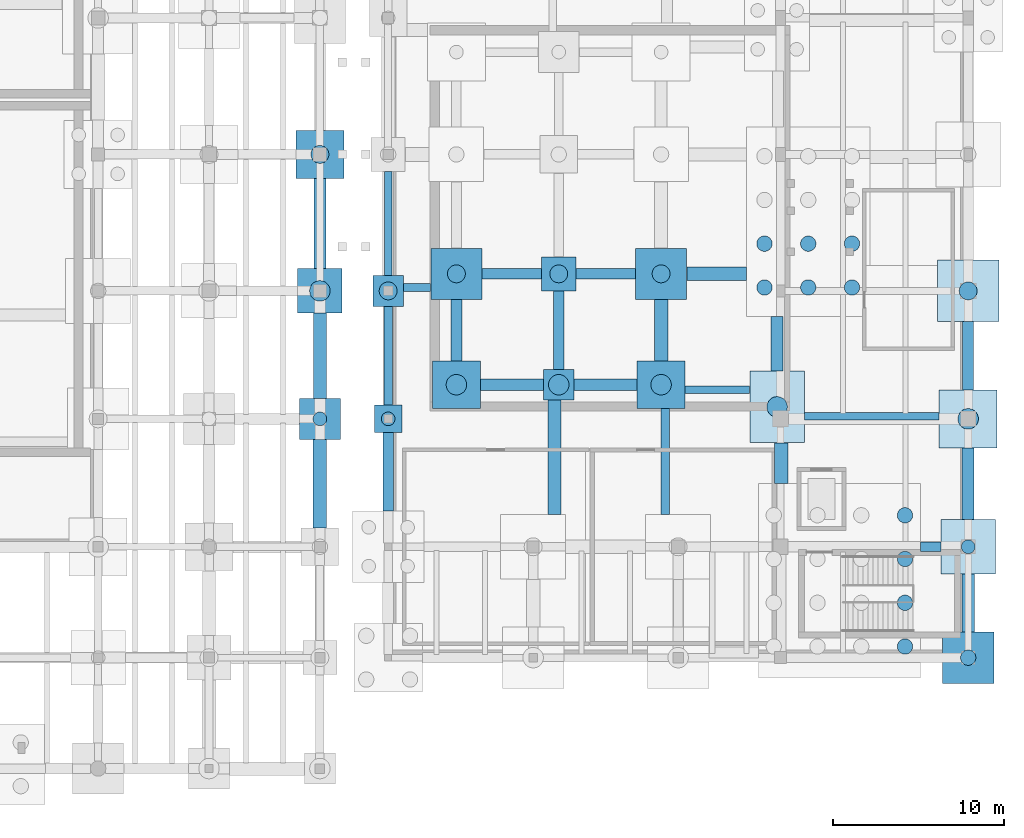
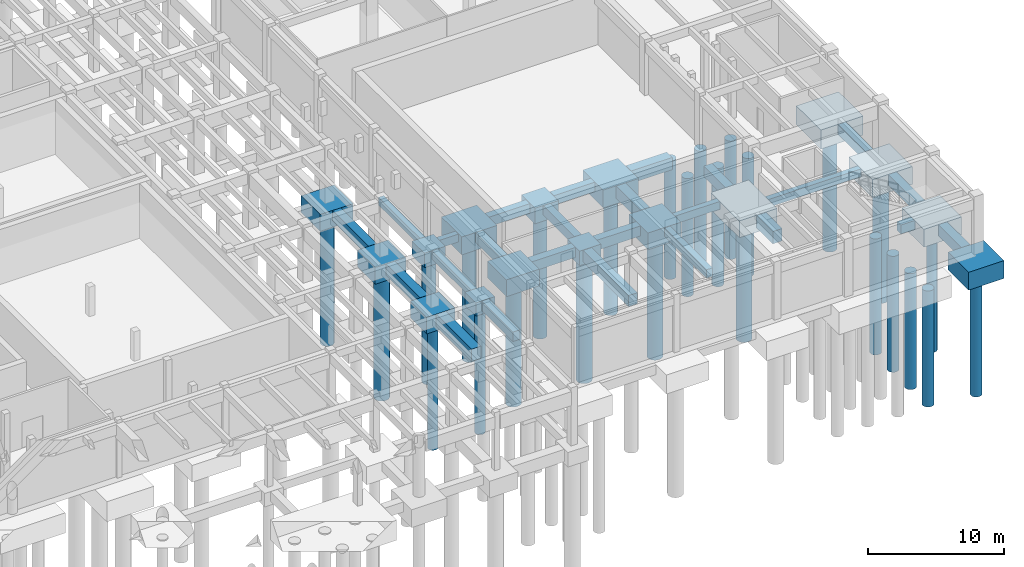
# One storey, part 13 of 36: 41 footings, 26 piles.
"""IFC4 building model written with IfcOpenShell, lengths in metres."""

from ifc_helpers import new_model, si_unit, direction, frame, origin, origin_2d, place, context, subcontext, project, spatial, polyline, circle, outline, extrude, material, material_profile, profile_set, type_object, element, save


model = new_model("IFC4")

# Units and contexts
model_context = context("Model", 3, precision=1e-05, world=origin(), true_north=direction((0.0, 1.0)))
body_context = subcontext(model_context, "Body", "Model", "MODEL_VIEW")
ifc_project = project(units=[si_unit("LENGTHUNIT", "METRE"), si_unit("AREAUNIT", "SQUARE_METRE"), si_unit("VOLUMEUNIT", "CUBIC_METRE"), si_unit("PLANEANGLEUNIT", "RADIAN"), si_unit("MASSUNIT", "GRAM", prefix="KILO"), si_unit("THERMODYNAMICTEMPERATUREUNIT", "KELVIN"), si_unit("POWERUNIT", "WATT")], contexts=[model_context])

# Site, building, storey
site_placement = place(None, origin())
site = spatial("IfcSite", under=ifc_project, at=site_placement, CompositionType="ELEMENT")
building_placement = place(site_placement, origin())
building = spatial("IfcBuilding", under=site, at=building_placement, Name="Tepalcoro Natatorium and Aquatics Centre", CompositionType="ELEMENT")
storey_placement = place(building_placement, frame((0.0, 0.0, -5.199951171875)))
storey = spatial("IfcBuildingStorey", under=building, at=storey_placement, Name="B1", CompositionType="ELEMENT", Elevation=-5.199951171875)

# Footings
ifc_material = material(Name="Concrete C40/50 (fc 40 MPa)", Category="concrete")
footing_type_1 = type_object("IfcFootingType", Name="FB_450x700", PredefinedType="FOOTING_BEAM", material=ifc_material)
footing_1_placement = place(storey_placement, frame((0.0, 0.0, -1.199951171875)))
element("IfcFooting", 1, at=footing_1_placement, inside=storey, type_object=footing_type_1, Name="V2 B1 Foundation Tie Beam X", PredefinedType="FOOTING_BEAM", context=body_context, shape_type="SweptSolid", body=[
    extrude(outline(polyline([(142.905029296875, 27.97509765625), (144.4951171875, 27.97509765625), (144.4951171875, 28.425048828125), (142.905029296875, 28.425048828125), (142.905029296875, 27.97509765625)])), origin(), (0.0, 0.0, 1.0), 0.699951171875),
])
footing_2_placement = place(storey_placement, frame((0.0, 0.0, -1.179931640625)))
element("IfcFooting", 2, at=footing_2_placement, inside=storey, type_object=footing_type_1, Name="V2 B1 Foundation Tie Beam X", PredefinedType="FOOTING_BEAM", context=body_context, shape_type="SweptSolid", body=[
    extrude(outline(polyline([(159.405029296875, 21.97509765625), (163.195068359375, 21.97509765625), (163.195068359375, 22.425048828125), (159.405029296875, 22.425048828125), (159.405029296875, 21.97509765625)])), origin(), (0.0, 0.0, 1.0), 0.699951171875),
])
footing_3_placement = place(storey_placement, frame((0.0, 0.0, -1.199951171875)))
element("IfcFooting", 3, at=footing_3_placement, inside=storey, type_object=footing_type_1, Name="V2 B1 Foundation Tie Beam X", PredefinedType="FOOTING_BEAM", context=body_context, shape_type="SweptSolid", body=[
    extrude(outline(polyline([(166.405029296875, 20.425048828125), (174.294921875, 20.425048828125), (174.294921875, 20.875), (166.405029296875, 20.875), (166.405029296875, 20.425048828125)])), origin(), (0.0, 0.0, 1.0), 0.699951171875),
])
footing_4_placement = place(storey_placement, frame((0.0, 0.0, -1.199951171875)))
element("IfcFooting", 4, at=footing_4_placement, inside=storey, type_object=footing_type_1, Name="V2 B1 Foundation Tie Beam Y", PredefinedType="FOOTING_BEAM", context=body_context, shape_type="SweptSolid", body=[
    extrude(outline(polyline([(142.22509765625, 28.905029296875), (142.22509765625, 34.9951171875), (141.77490234375, 34.9951171875), (141.77490234375, 28.905029296875), (142.22509765625, 28.905029296875)])), origin(), (0.0, 0.0, 1.0), 0.699951171875),
])
footing_type_2 = type_object("IfcFootingType", Name="FB_500x750", PredefinedType="FOOTING_BEAM", material=ifc_material)
footing_5_placement = place(storey_placement, frame((0.0, 0.0, -1.25)))
element("IfcFooting", 5, at=footing_5_placement, inside=storey, type_object=footing_type_2, Name="V2 B1 Foundation Tie Beam Y", PredefinedType="FOOTING_BEAM", context=body_context, shape_type="SweptSolid", body=[
    extrude(outline(polyline([(142.25, 21.304931640625), (142.25, 27.094970703125), (141.75, 27.094970703125), (141.75, 21.304931640625), (142.25, 21.304931640625)])), origin(), (0.0, 0.0, 1.0), 0.75),
])
footing_6_placement = place(storey_placement, frame((0.0, 0.0, -1.25)))
element("IfcFooting", 6, at=footing_6_placement, inside=storey, type_object=footing_type_2, Name="V2 B1 Foundation Tie Beam Y", PredefinedType="FOOTING_BEAM", context=body_context, shape_type="SweptSolid", body=[
    extrude(outline(polyline([(158.5, 14.905029296875), (158.5, 21.094970703125), (158.0, 21.094970703125), (158.0, 14.905029296875), (158.5, 14.905029296875)])), origin(), (0.0, 0.0, 1.0), 0.75),
])
footing_type_3 = type_object("IfcFootingType", Name="FB_550x800", PredefinedType="FOOTING_BEAM", material=ifc_material)
footing_7_placement = place(storey_placement, frame((0.0, 0.0, -1.300048828125)))
element("IfcFooting", 7, at=footing_7_placement, inside=storey, type_object=footing_type_3, Name="V2 B1 Foundation Tie Beam X", PredefinedType="FOOTING_BEAM", context=body_context, shape_type="SweptSolid", body=[
    extrude(outline(polyline([(173.205078125, 12.72509765625), (174.39501953125, 12.72509765625), (174.39501953125, 13.27490234375), (173.205078125, 13.27490234375), (173.205078125, 12.72509765625)])), origin(), (0.0, 0.0, 1.0), 0.800048828125),
])
footing_type_4 = type_object("IfcFootingType", Name="FB_600x850", PredefinedType="FOOTING_BEAM", material=ifc_material)
footing_8_placement = place(storey_placement, frame((0.0, 0.0, -1.330078125)))
element("IfcFooting", 8, at=footing_8_placement, inside=storey, type_object=footing_type_4, Name="V2 B1 Foundation Tie Beam X", PredefinedType="FOOTING_BEAM", context=body_context, shape_type="SweptSolid", body=[
    extrude(outline(polyline([(147.5048828125, 28.699951171875), (150.9951171875, 28.699951171875), (150.9951171875, 29.300048828125), (147.5048828125, 29.300048828125), (147.5048828125, 28.699951171875)])), origin(), (0.0, 0.0, 1.0), 0.85009765625),
])
footing_9_placement = place(storey_placement, frame((0.0, 0.0, -1.330078125)))
element("IfcFooting", 9, at=footing_9_placement, inside=storey, type_object=footing_type_4, Name="V2 B1 Foundation Tie Beam X", PredefinedType="FOOTING_BEAM", context=body_context, shape_type="SweptSolid", body=[
    extrude(outline(polyline([(153.0048828125, 28.699951171875), (156.4951171875, 28.699951171875), (156.4951171875, 29.300048828125), (153.0048828125, 29.300048828125), (153.0048828125, 28.699951171875)])), origin(), (0.0, 0.0, 1.0), 0.85009765625),
])
footing_10_placement = place(storey_placement, frame((0.0, 0.0, -1.35009765625)))
element("IfcFooting", 10, at=footing_10_placement, inside=storey, type_object=footing_type_4, Name="V2 B1 Foundation Tie Beam Y", PredefinedType="FOOTING_BEAM", context=body_context, shape_type="SweptSolid", body=[
    extrude(outline(polyline([(142.300048828125, 15.10498046875), (142.300048828125, 19.695068359375), (141.699951171875, 19.695068359375), (141.699951171875, 15.10498046875), (142.300048828125, 15.10498046875)])), origin(), (0.0, 0.0, 1.0), 0.85009765625),
])
footing_11_placement = place(storey_placement, frame((0.0, 0.0, -1.330078125)))
element("IfcFooting", 11, at=footing_11_placement, inside=storey, type_object=footing_type_4, Name="V2 B1 Foundation Tie Beam Y", PredefinedType="FOOTING_BEAM", context=body_context, shape_type="SweptSolid", body=[
    extrude(outline(polyline([(152.300048828125, 23.405029296875), (152.300048828125, 27.9951171875), (151.699951171875, 27.9951171875), (151.699951171875, 23.405029296875), (152.300048828125, 23.405029296875)])), origin(), (0.0, 0.0, 1.0), 0.85009765625),
])
footing_type_5 = type_object("IfcFootingType", Name="FB_650x900", PredefinedType="FOOTING_BEAM", material=ifc_material)
footing_12_placement = place(storey_placement, frame((0.0, 0.0, -1.380126953125)))
element("IfcFooting", 12, at=footing_12_placement, inside=storey, type_object=footing_type_5, Name="V2 B1 Foundation Tie Beam X", PredefinedType="FOOTING_BEAM", context=body_context, shape_type="SweptSolid", body=[
    extrude(outline(polyline([(147.405029296875, 22.175048828125), (151.094970703125, 22.175048828125), (151.094970703125, 22.824951171875), (147.405029296875, 22.824951171875), (147.405029296875, 22.175048828125)])), origin(), (0.0, 0.0, 1.0), 0.900146484375),
])
footing_13_placement = place(storey_placement, frame((0.0, 0.0, -1.380126953125)))
element("IfcFooting", 13, at=footing_13_placement, inside=storey, type_object=footing_type_5, Name="V2 B1 Foundation Tie Beam X", PredefinedType="FOOTING_BEAM", context=body_context, shape_type="SweptSolid", body=[
    extrude(outline(polyline([(152.905029296875, 22.175048828125), (156.594970703125, 22.175048828125), (156.594970703125, 22.824951171875), (152.905029296875, 22.824951171875), (152.905029296875, 22.175048828125)])), origin(), (0.0, 0.0, 1.0), 0.900146484375),
])
footing_14_placement = place(storey_placement, frame((0.0, 0.0, -1.380126953125)))
element("IfcFooting", 14, at=footing_14_placement, inside=storey, type_object=footing_type_5, Name="V2 B1 Foundation Tie Beam Y", PredefinedType="FOOTING_BEAM", context=body_context, shape_type="SweptSolid", body=[
    extrude(outline(polyline([(146.324951171875, 23.905029296875), (146.324951171875, 27.4951171875), (145.675048828125, 27.4951171875), (145.675048828125, 23.905029296875), (146.324951171875, 23.905029296875)])), origin(), (0.0, 0.0, 1.0), 0.900146484375),
])
footing_15_placement = place(storey_placement, frame((0.0, 0.0, -1.400146484375)))
element("IfcFooting", 15, at=footing_15_placement, inside=storey, type_object=footing_type_5, Name="V2 B1 Foundation Tie Beam Y", PredefinedType="FOOTING_BEAM", context=body_context, shape_type="SweptSolid", body=[
    extrude(outline(polyline([(176.324951171875, 22.205078125), (176.324951171875, 26.195068359375), (175.675048828125, 26.195068359375), (175.675048828125, 22.205078125), (176.324951171875, 22.205078125)])), origin(), (0.0, 0.0, 1.0), 0.900146484375),
])
footing_type_6 = type_object("IfcFootingType", Name="FB_700x950", PredefinedType="FOOTING_BEAM", material=ifc_material)
footing_16_placement = place(storey_placement, frame((0.0, 0.0, -0.949951171875)))
element("IfcFooting", 16, at=footing_16_placement, inside=storey, type_object=footing_type_6, Name="V1 B1 Foundation Tie Beam Y", PredefinedType="FOOTING_BEAM", context=body_context, shape_type="SweptSolid", body=[
    extrude(outline(polyline([(138.35009765625, 29.304931640625), (138.35009765625, 34.594970703125), (137.64990234375, 34.594970703125), (137.64990234375, 29.304931640625), (138.35009765625, 29.304931640625)])), origin(), (0.0, 0.0, 1.0), 0.949951171875),
])
footing_17_placement = place(storey_placement, frame((0.0, 0.0, -1.429931640625)))
element("IfcFooting", 17, at=footing_17_placement, inside=storey, type_object=footing_type_6, Name="V2 B1 Foundation Tie Beam Y", PredefinedType="FOOTING_BEAM", context=body_context, shape_type="SweptSolid", body=[
    extrude(outline(polyline([(165.14990234375, 23.304931640625), (165.14990234375, 26.4951171875), (164.449951171875, 26.4951171875), (164.449951171875, 23.304931640625), (165.14990234375, 23.304931640625)])), origin(), (0.0, 0.0, 1.0), 0.949951171875),
])
footing_18_placement = place(storey_placement, frame((0.0, 0.0, -1.449951171875)))
element("IfcFooting", 18, at=footing_18_placement, inside=storey, type_object=footing_type_6, Name="V2 B1 Foundation Tie Beam Y", PredefinedType="FOOTING_BEAM", context=body_context, shape_type="SweptSolid", body=[
    extrude(outline(polyline([(176.35009765625, 14.60498046875), (176.35009765625, 18.794921875), (175.64990234375, 18.794921875), (175.64990234375, 14.60498046875), (176.35009765625, 14.60498046875)])), origin(), (0.0, 0.0, 1.0), 0.949951171875),
])
footing_type_7 = type_object("IfcFootingType", Name="FB_750x1000", PredefinedType="FOOTING_BEAM", material=ifc_material)
footing_19_placement = place(storey_placement, frame((0.0, 0.0, -1.0)))
element("IfcFooting", 19, at=footing_19_placement, inside=storey, type_object=footing_type_7, Name="V1 B1 Foundation Tie Beam Y", PredefinedType="FOOTING_BEAM", context=body_context, shape_type="SweptSolid", body=[
    extrude(outline(polyline([(138.375, 21.705078125), (138.375, 26.695068359375), (137.625, 26.695068359375), (137.625, 21.705078125), (138.375, 21.705078125)])), origin(), (0.0, 0.0, 1.0), 1.0),
])
footing_20_placement = place(storey_placement, frame((0.0, 0.0, -1.5)))
element("IfcFooting", 20, at=footing_20_placement, inside=storey, type_object=footing_type_7, Name="V2 B1 Foundation Tie Beam Y", PredefinedType="FOOTING_BEAM", context=body_context, shape_type="SweptSolid", body=[
    extrude(outline(polyline([(152.125, 14.905029296875), (152.125, 21.594970703125), (151.375, 21.594970703125), (151.375, 14.905029296875), (152.125, 14.905029296875)])), origin(), (0.0, 0.0, 1.0), 1.0),
])
footing_21_placement = place(storey_placement, frame((0.0, 0.0, -1.5)))
element("IfcFooting", 21, at=footing_21_placement, inside=storey, type_object=footing_type_7, Name="V2 B1 Foundation Tie Beam Y", PredefinedType="FOOTING_BEAM", context=body_context, shape_type="SweptSolid", body=[
    extrude(outline(polyline([(176.375, 8.0048828125), (176.375, 11.39501953125), (175.625, 11.39501953125), (175.625, 8.0048828125), (176.375, 8.0048828125)])), origin(), (0.0, 0.0, 1.0), 1.0),
])
footing_type_8 = type_object("IfcFootingType", Name="FB_800x1100", PredefinedType="FOOTING_BEAM", material=ifc_material)
footing_22_placement = place(storey_placement, frame((0.0, 0.0, -1.10009765625)))
element("IfcFooting", 22, at=footing_22_placement, inside=storey, type_object=footing_type_8, Name="V1 B1 Foundation Tie Beam Y", PredefinedType="FOOTING_BEAM", context=body_context, shape_type="SweptSolid", body=[
    extrude(outline(polyline([(138.39990234375, 14.10498046875), (138.39990234375, 19.294921875), (137.60009765625, 19.294921875), (137.60009765625, 14.10498046875), (138.39990234375, 14.10498046875)])), origin(), (0.0, 0.0, 1.0), 1.10009765625),
])
footing_23_placement = place(storey_placement, frame((0.0, 0.0, -1.580078125)))
element("IfcFooting", 23, at=footing_23_placement, inside=storey, type_object=footing_type_8, Name="V2 B1 Foundation Tie Beam X", PredefinedType="FOOTING_BEAM", context=body_context, shape_type="SweptSolid", body=[
    extrude(outline(polyline([(159.5048828125, 28.60009765625), (162.9951171875, 28.60009765625), (162.9951171875, 29.39990234375), (159.5048828125, 29.39990234375), (159.5048828125, 28.60009765625)])), origin(), (0.0, 0.0, 1.0), 1.10009765625),
])
footing_24_placement = place(storey_placement, frame((0.0, 0.0, -1.580078125)))
element("IfcFooting", 24, at=footing_24_placement, inside=storey, type_object=footing_type_8, Name="V2 B1 Foundation Tie Beam Y", PredefinedType="FOOTING_BEAM", context=body_context, shape_type="SweptSolid", body=[
    extrude(outline(polyline([(158.39990234375, 23.905029296875), (158.39990234375, 27.4951171875), (157.60009765625, 27.4951171875), (157.60009765625, 23.905029296875), (158.39990234375, 23.905029296875)])), origin(), (0.0, 0.0, 1.0), 1.10009765625),
])
footing_25_placement = place(storey_placement, frame((0.0, 0.0, -1.60009765625)))
element("IfcFooting", 25, at=footing_25_placement, inside=storey, type_object=footing_type_8, Name="V2 B1 Foundation Tie Beam Y", PredefinedType="FOOTING_BEAM", context=body_context, shape_type="SweptSolid", body=[
    extrude(outline(polyline([(165.449951171875, 16.705078125), (165.449951171875, 19.094970703125), (164.64990234375, 19.094970703125), (164.64990234375, 16.705078125), (165.449951171875, 16.705078125)])), origin(), (0.0, 0.0, 1.0), 1.10009765625),
])
footing_type_9 = type_object("IfcFootingType", Name="PC_1600x1600x1200", PredefinedType="PILE_CAP", material=ifc_material)
footing_26_placement = place(storey_placement, frame((0.0, 0.0, -1.699951171875)))
element("IfcFooting", 26, at=footing_26_placement, inside=storey, type_object=footing_type_9, Name="V2 Reinforced Concrete Pile Cap 136", PredefinedType="PILE_CAP", context=body_context, shape_type="SweptSolid", body=[
    extrude(outline(polyline([(141.199951171875, 19.699951171875), (142.800048828125, 19.699951171875), (142.800048828125, 21.300048828125), (141.199951171875, 21.300048828125), (141.199951171875, 19.699951171875)])), origin(), (0.0, 0.0, 1.0), 1.199951171875),
])
footing_type_10 = type_object("IfcFootingType", Name="PC_1800x1800x1300", PredefinedType="PILE_CAP", material=ifc_material)
footing_27_placement = place(storey_placement, frame((0.0, 0.0, -1.800048828125)))
element("IfcFooting", 27, at=footing_27_placement, inside=storey, type_object=footing_type_10, Name="V2 Reinforced Concrete Pile Cap 135", PredefinedType="PILE_CAP", context=body_context, shape_type="SweptSolid", body=[
    extrude(outline(polyline([(141.10009765625, 27.10009765625), (142.89990234375, 27.10009765625), (142.89990234375, 28.89990234375), (141.10009765625, 28.89990234375), (141.10009765625, 27.10009765625)])), origin(), (0.0, 0.0, 1.0), 1.300048828125),
])
footing_28_placement = place(storey_placement, frame((0.0, 0.0, -1.780029296875)))
element("IfcFooting", 28, at=footing_28_placement, inside=storey, type_object=footing_type_10, Name="V2 Reinforced Concrete Pile Cap 148", PredefinedType="PILE_CAP", context=body_context, shape_type="SweptSolid", body=[
    extrude(outline(polyline([(151.10009765625, 21.60009765625), (152.89990234375, 21.60009765625), (152.89990234375, 23.39990234375), (151.10009765625, 23.39990234375), (151.10009765625, 21.60009765625)])), origin(), (0.0, 0.0, 1.0), 1.300048828125),
])
footing_type_11 = type_object("IfcFootingType", Name="PC_2000x2000x1400", PredefinedType="PILE_CAP", material=ifc_material)
footing_29_placement = place(storey_placement, frame((0.0, 0.0, -1.880126953125)))
element("IfcFooting", 29, at=footing_29_placement, inside=storey, type_object=footing_type_11, Name="V2 Reinforced Concrete Pile Cap 147", PredefinedType="PILE_CAP", context=body_context, shape_type="SweptSolid", body=[
    extrude(outline(polyline([(151.0, 28.0), (153.0, 28.0), (153.0, 30.0), (151.0, 30.0), (151.0, 28.0)])), origin(), (0.0, 0.0, 1.0), 1.400146484375),
])
footing_type_12 = type_object("IfcFootingType", Name="PC_2400x2400x1500", PredefinedType="PILE_CAP", material=ifc_material)
footing_30_placement = place(storey_placement, frame((0.0, 0.0, -1.5)))
element("IfcFooting", 30, at=footing_30_placement, inside=storey, type_object=footing_type_12, Name="V1 Reinforced Concrete Pile Cap 125", PredefinedType="PILE_CAP", context=body_context, shape_type="SweptSolid", body=[
    extrude(outline(polyline([(136.800048828125, 19.300048828125), (139.199951171875, 19.300048828125), (139.199951171875, 21.699951171875), (136.800048828125, 21.699951171875), (136.800048828125, 19.300048828125)])), origin(), (0.0, 0.0, 1.0), 1.5),
])
footing_type_13 = type_object("IfcFootingType", Name="PC_2600x2600x1500", PredefinedType="PILE_CAP", material=ifc_material)
footing_31_placement = place(storey_placement, frame((0.0, 0.0, -1.5)))
element("IfcFooting", 31, at=footing_31_placement, inside=storey, type_object=footing_type_13, Name="V1 Reinforced Concrete Pile Cap 124", PredefinedType="PILE_CAP", context=body_context, shape_type="SweptSolid", body=[
    extrude(outline(polyline([(136.699951171875, 26.699951171875), (139.300048828125, 26.699951171875), (139.300048828125, 29.300048828125), (136.699951171875, 29.300048828125), (136.699951171875, 26.699951171875)])), origin(), (0.0, 0.0, 1.0), 1.5),
])
footing_type_14 = type_object("IfcFootingType", Name="PC_2800x2800x1500", PredefinedType="PILE_CAP", material=ifc_material)
footing_32_placement = place(storey_placement, frame((0.0, 0.0, -1.5)))
element("IfcFooting", 32, at=footing_32_placement, inside=storey, type_object=footing_type_14, Name="V1 Reinforced Concrete Pile Cap 123", PredefinedType="PILE_CAP", context=body_context, shape_type="SweptSolid", body=[
    extrude(outline(polyline([(136.60009765625, 34.60009765625), (139.39990234375, 34.60009765625), (139.39990234375, 37.39990234375), (136.60009765625, 37.39990234375), (136.60009765625, 34.60009765625)])), origin(), (0.0, 0.0, 1.0), 1.5),
])
footing_33_placement = place(storey_placement, frame((0.0, 0.0, -1.97998046875)))
element("IfcFooting", 33, at=footing_33_placement, inside=storey, type_object=footing_type_14, Name="V2 Reinforced Concrete Pile Cap 140", PredefinedType="PILE_CAP", context=body_context, shape_type="SweptSolid", body=[
    extrude(outline(polyline([(144.60009765625, 21.10009765625), (147.39990234375, 21.10009765625), (147.39990234375, 23.89990234375), (144.60009765625, 23.89990234375), (144.60009765625, 21.10009765625)])), origin(), (0.0, 0.0, 1.0), 1.5),
])
footing_34_placement = place(storey_placement, frame((0.0, 0.0, -1.97998046875)))
element("IfcFooting", 34, at=footing_34_placement, inside=storey, type_object=footing_type_14, Name="V2 Reinforced Concrete Pile Cap 152", PredefinedType="PILE_CAP", context=body_context, shape_type="SweptSolid", body=[
    extrude(outline(polyline([(156.60009765625, 21.10009765625), (159.39990234375, 21.10009765625), (159.39990234375, 23.89990234375), (156.60009765625, 23.89990234375), (156.60009765625, 21.10009765625)])), origin(), (0.0, 0.0, 1.0), 1.5),
])
footing_35_placement = place(storey_placement, frame((0.0, 0.0, -2.0)))
element("IfcFooting", 35, at=footing_35_placement, inside=storey, type_object=footing_type_14, Name="V2 Reinforced Concrete Pile Cap 160", PredefinedType="PILE_CAP", context=body_context, shape_type="SweptSolid", body=[
    extrude(outline(polyline([(163.199951171875, 19.10009765625), (166.39990234375, 19.10009765625), (166.39990234375, 23.300048828125), (163.199951171875, 23.300048828125), (163.199951171875, 19.10009765625)])), origin(), (0.0, 0.0, 1.0), 1.52001953125),
])
footing_type_15 = type_object("IfcFootingType", Name="PC_3000x3000x1600", PredefinedType="PILE_CAP", material=ifc_material)
footing_36_placement = place(storey_placement, frame((0.0, 0.0, -2.080078125)))
element("IfcFooting", 36, at=footing_36_placement, inside=storey, type_object=footing_type_15, Name="V2 Reinforced Concrete Pile Cap 139", PredefinedType="PILE_CAP", context=body_context, shape_type="SweptSolid", body=[
    extrude(outline(polyline([(144.5, 27.5), (147.5, 27.5), (147.5, 30.5), (144.5, 30.5), (144.5, 27.5)])), origin(), (0.0, 0.0, 1.0), 1.60009765625),
])
footing_37_placement = place(storey_placement, frame((0.0, 0.0, -2.080078125)))
element("IfcFooting", 37, at=footing_37_placement, inside=storey, type_object=footing_type_15, Name="V2 Reinforced Concrete Pile Cap 151", PredefinedType="PILE_CAP", context=body_context, shape_type="SweptSolid", body=[
    extrude(outline(polyline([(156.5, 27.5), (159.5, 27.5), (159.5, 30.5), (156.5, 30.5), (156.5, 27.5)])), origin(), (0.0, 0.0, 1.0), 1.60009765625),
])
footing_38_placement = place(storey_placement, frame((0.0, 0.0, -2.10009765625)))
element("IfcFooting", 38, at=footing_38_placement, inside=storey, type_object=footing_type_15, Name="V2 Reinforced Concrete Pile Cap 170", PredefinedType="PILE_CAP", context=body_context, shape_type="SweptSolid", body=[
    extrude(outline(polyline([(174.5, 5.0), (177.5, 5.0), (177.5, 8.0), (174.5, 8.0), (174.5, 5.0)])), origin(), (0.0, 0.0, 1.0), 1.60009765625),
])
footing_type_16 = type_object("IfcFootingType", Name="PC_3200x3200x1600", PredefinedType="PILE_CAP", material=ifc_material)
footing_39_placement = place(storey_placement, frame((0.0, 0.0, -2.10009765625)))
element("IfcFooting", 39, at=footing_39_placement, inside=storey, type_object=footing_type_16, Name="V2 Reinforced Concrete Pile Cap 169", PredefinedType="PILE_CAP", context=body_context, shape_type="SweptSolid", body=[
    extrude(outline(polyline([(174.39990234375, 11.39990234375), (177.60009765625, 11.39990234375), (177.60009765625, 14.60009765625), (174.39990234375, 14.60009765625), (174.39990234375, 11.39990234375)])), origin(), (0.0, 0.0, 1.0), 1.60009765625),
])
footing_type_17 = type_object("IfcFootingType", Name="PC_3400x3400x1600", PredefinedType="PILE_CAP", material=ifc_material)
footing_40_placement = place(storey_placement, frame((0.0, 0.0, -2.10009765625)))
element("IfcFooting", 40, at=footing_40_placement, inside=storey, type_object=footing_type_17, Name="V2 Reinforced Concrete Pile Cap 168", PredefinedType="PILE_CAP", context=body_context, shape_type="SweptSolid", body=[
    extrude(outline(polyline([(174.300048828125, 18.800048828125), (177.699951171875, 18.800048828125), (177.699951171875, 22.199951171875), (174.300048828125, 22.199951171875), (174.300048828125, 18.800048828125)])), origin(), (0.0, 0.0, 1.0), 1.60009765625),
])
footing_type_18 = type_object("IfcFootingType", Name="PC_3600x3600x1700", PredefinedType="PILE_CAP", material=ifc_material)
footing_41_placement = place(storey_placement, frame((0.0, 0.0, -2.199951171875)))
element("IfcFooting", 41, at=footing_41_placement, inside=storey, type_object=footing_type_18, Name="V2 Reinforced Concrete Pile Cap 167", PredefinedType="PILE_CAP", context=body_context, shape_type="SweptSolid", body=[
    extrude(outline(polyline([(174.199951171875, 26.199951171875), (177.800048828125, 26.199951171875), (177.800048828125, 29.800048828125), (174.199951171875, 29.800048828125), (174.199951171875, 26.199951171875)])), origin(), (0.0, 0.0, 1.0), 1.699951171875),
])

# Piles
ifc_material_profile_1 = material_profile(ifc_material, circle(Radius=0.52490234375, at=origin_2d()), Name="PILE_D1050")
ifc_profile_set_1 = profile_set([ifc_material_profile_1], Name="Concrete C40/50 (fc 40 MPa)")
pile_type_1 = type_object("IfcPileType", Name="PILE_D1050", PredefinedType="BORED", material=ifc_profile_set_1)
pile_1_placement = place(storey_placement, frame((138.0, 36.0, -1.400146484375), z_axis=(0.0, 0.0, -1.0), x_axis=(1.0, 0.0, 0.0)))
element("IfcPile", 42, at=pile_1_placement, inside=storey, type_object=pile_type_1, Name="Bored Pile PILE_D1050 under PC_V1_0122", PredefinedType="BORED", context=body_context, shape_type="SweptSolid", body=[
    extrude(circle(Radius=0.52490234375, at=origin_2d()), origin(), (0.0, 0.0, 1.0), 11.39990234375),
])
pile_2_placement = place(storey_placement, frame((142.0, 28.0, -1.699951171875), z_axis=(0.0, 0.0, -1.0), x_axis=(1.0, 0.0, 0.0)))
element("IfcPile", 43, at=pile_2_placement, inside=storey, type_object=pile_type_1, Name="Bored Pile PILE_D1050 under PC_V2_0134", PredefinedType="BORED", context=body_context, shape_type="SweptSolid", body=[
    extrude(circle(Radius=0.52490234375, at=origin_2d()), origin(), (0.0, 0.0, 1.0), 11.10009765625),
])
pile_3_placement = place(storey_placement, frame((146.0, 29.0, -1.97998046875), z_axis=(0.0, 0.0, -1.0), x_axis=(1.0, 0.0, 0.0)))
element("IfcPile", 44, at=pile_3_placement, inside=storey, type_object=pile_type_1, Name="Bored Pile PILE_D1050 under PC_V2_0138", PredefinedType="BORED", context=body_context, shape_type="SweptSolid", body=[
    extrude(circle(Radius=0.52490234375, at=origin_2d()), origin(), (0.0, 0.0, 1.0), 10.820068359375),
])
pile_4_placement = place(storey_placement, frame((152.0, 29.0, -1.780029296875), z_axis=(0.0, 0.0, -1.0), x_axis=(1.0, 0.0, 0.0)))
element("IfcPile", 45, at=pile_4_placement, inside=storey, type_object=pile_type_1, Name="Bored Pile PILE_D1050 under PC_V2_0146", PredefinedType="BORED", context=body_context, shape_type="SweptSolid", body=[
    extrude(circle(Radius=0.52490234375, at=origin_2d()), origin(), (0.0, 0.0, 1.0), 11.02001953125),
])
pile_5_placement = place(storey_placement, frame((158.0, 29.0, -1.97998046875), z_axis=(0.0, 0.0, -1.0), x_axis=(1.0, 0.0, 0.0)))
element("IfcPile", 46, at=pile_5_placement, inside=storey, type_object=pile_type_1, Name="Bored Pile PILE_D1050 under PC_V2_0150", PredefinedType="BORED", context=body_context, shape_type="SweptSolid", body=[
    extrude(circle(Radius=0.52490234375, at=origin_2d()), origin(), (0.0, 0.0, 1.0), 10.820068359375),
])
pile_6_placement = place(storey_placement, frame((176.0, 28.0, -2.10009765625), z_axis=(0.0, 0.0, -1.0), x_axis=(1.0, 0.0, 0.0)))
element("IfcPile", 47, at=pile_6_placement, inside=storey, type_object=pile_type_1, Name="Bored Pile PILE_D1050 under PC_V2_0166", PredefinedType="BORED", context=body_context, shape_type="SweptSolid", body=[
    extrude(circle(Radius=0.52490234375, at=origin_2d()), origin(), (0.0, 0.0, 1.0), 10.699951171875),
])
ifc_material_profile_2 = material_profile(ifc_material, circle(Radius=0.60009765625, at=origin_2d()), Name="PILE_D1200")
ifc_profile_set_2 = profile_set([ifc_material_profile_2], Name="Concrete C40/50 (fc 40 MPa)")
pile_type_2 = type_object("IfcPileType", Name="PILE_D1200", PredefinedType="BORED", material=ifc_profile_set_2)
pile_7_placement = place(storey_placement, frame((138.0, 28.0, -1.400146484375), z_axis=(0.0, 0.0, -1.0), x_axis=(1.0, 0.0, 0.0)))
element("IfcPile", 48, at=pile_7_placement, inside=storey, type_object=pile_type_2, Name="Bored Pile PILE_D1200 under PC_V1_0123", PredefinedType="BORED", context=body_context, shape_type="SweptSolid", body=[
    extrude(circle(Radius=0.60009765625, at=origin_2d()), origin(), (0.0, 0.0, 1.0), 11.39990234375),
])
pile_8_placement = place(storey_placement, frame((146.0, 22.5, -1.880126953125), z_axis=(0.0, 0.0, -1.0), x_axis=(1.0, 0.0, 0.0)))
element("IfcPile", 49, at=pile_8_placement, inside=storey, type_object=pile_type_2, Name="Bored Pile PILE_D1200 under PC_V2_0139", PredefinedType="BORED", context=body_context, shape_type="SweptSolid", body=[
    extrude(circle(Radius=0.60009765625, at=origin_2d()), origin(), (0.0, 0.0, 1.0), 10.919921875),
])
pile_9_placement = place(storey_placement, frame((152.0, 22.5, -1.679931640625), z_axis=(0.0, 0.0, -1.0), x_axis=(1.0, 0.0, 0.0)))
element("IfcPile", 50, at=pile_9_placement, inside=storey, type_object=pile_type_2, Name="Bored Pile PILE_D1200 under PC_V2_0147", PredefinedType="BORED", context=body_context, shape_type="SweptSolid", body=[
    extrude(circle(Radius=0.60009765625, at=origin_2d()), origin(), (0.0, 0.0, 1.0), 11.1201171875),
])
pile_10_placement = place(storey_placement, frame((158.0, 22.5, -1.880126953125), z_axis=(0.0, 0.0, -1.0), x_axis=(1.0, 0.0, 0.0)))
element("IfcPile", 51, at=pile_10_placement, inside=storey, type_object=pile_type_2, Name="Bored Pile PILE_D1200 under PC_V2_0151", PredefinedType="BORED", context=body_context, shape_type="SweptSolid", body=[
    extrude(circle(Radius=0.60009765625, at=origin_2d()), origin(), (0.0, 0.0, 1.0), 10.919921875),
])
pile_11_placement = place(storey_placement, frame((164.800048828125, 21.199951171875, -1.900146484375), z_axis=(0.0, 0.0, -1.0), x_axis=(1.0, 0.0, 0.0)))
element("IfcPile", 52, at=pile_11_placement, inside=storey, type_object=pile_type_2, Name="Bored Pile PILE_D1200 under PC_V2_0159", PredefinedType="BORED", context=body_context, shape_type="SweptSolid", body=[
    extrude(circle(Radius=0.60009765625, at=origin_2d()), origin(), (0.0, 0.0, 1.0), 10.89990234375),
])
pile_12_placement = place(storey_placement, frame((176.0, 20.5, -2.0), z_axis=(0.0, 0.0, -1.0), x_axis=(1.0, 0.0, 0.0)))
element("IfcPile", 53, at=pile_12_placement, inside=storey, type_object=pile_type_2, Name="Bored Pile PILE_D1200 under PC_V2_0167", PredefinedType="BORED", context=body_context, shape_type="SweptSolid", body=[
    extrude(circle(Radius=0.60009765625, at=origin_2d()), origin(), (0.0, 0.0, 1.0), 10.800048828125),
])
ifc_material_profile_3 = material_profile(ifc_material, circle(Radius=0.39990234375, at=origin_2d()), Name="PILE_D800")
ifc_profile_set_3 = profile_set([ifc_material_profile_3], Name="Concrete C40/50 (fc 40 MPa)")
pile_type_3 = type_object("IfcPileType", Name="PILE_D800", PredefinedType="BORED", material=ifc_profile_set_3)
pile_13_placement = place(storey_placement, frame((138.0, 20.5, -1.400146484375), z_axis=(0.0, 0.0, -1.0), x_axis=(1.0, 0.0, 0.0)))
element("IfcPile", 54, at=pile_13_placement, inside=storey, type_object=pile_type_3, Name="Bored Pile PILE_D800 under PC_V1_0124", PredefinedType="BORED", context=body_context, shape_type="SweptSolid", body=[
    extrude(circle(Radius=0.39990234375, at=origin_2d()), origin(), (0.0, 0.0, 1.0), 11.39990234375),
])
pile_14_placement = place(storey_placement, frame((142.0, 20.5, -1.60009765625), z_axis=(0.0, 0.0, -1.0), x_axis=(1.0, 0.0, 0.0)))
element("IfcPile", 55, at=pile_14_placement, inside=storey, type_object=pile_type_3, Name="Bored Pile PILE_D800 under PC_V2_0135", PredefinedType="BORED", context=body_context, shape_type="SweptSolid", body=[
    extrude(circle(Radius=0.39990234375, at=origin_2d()), origin(), (0.0, 0.0, 1.0), 11.199951171875),
])
pile_15_placement = place(storey_placement, frame((176.0, 13.0, -2.0), z_axis=(0.0, 0.0, -1.0), x_axis=(1.0, 0.0, 0.0)))
element("IfcPile", 56, at=pile_15_placement, inside=storey, type_object=pile_type_3, Name="Bored Pile PILE_D800 under PC_V2_0168", PredefinedType="BORED", context=body_context, shape_type="SweptSolid", body=[
    extrude(circle(Radius=0.39990234375, at=origin_2d()), origin(), (0.0, 0.0, 1.0), 10.800048828125),
])
ifc_material_profile_4 = material_profile(ifc_material, circle(Radius=0.449951171875, at=origin_2d()), Name="PILE_D900")
ifc_profile_set_4 = profile_set([ifc_material_profile_4], Name="Concrete C40/50 (fc 40 MPa)")
pile_type_4 = type_object("IfcPileType", Name="PILE_D900", PredefinedType="BORED", material=ifc_profile_set_4)
for number, where, z_axis, x_axis, name in (
    (57, (164.06005859375, 28.202392578125, -2.199951171875), (0.0, 0.0, -1.0), (1.0, 0.0, 0.0), "Bored Pile PILE_D900 under PC_V2_0157"),
    (58, (164.06005859375, 30.767578125, -2.199951171875), (0.0, 0.0, -1.0), (1.0, 0.0, 0.0), "Bored Pile PILE_D900 under PC_V2_0157"),
    (59, (166.625, 28.202392578125, -2.199951171875), (0.0, 0.0, -1.0), (1.0, 0.0, 0.0), "Bored Pile PILE_D900 under PC_V2_0157"),
    (60, (166.625, 30.767578125, -2.199951171875), (0.0, 0.0, -1.0), (1.0, 0.0, 0.0), "Bored Pile PILE_D900 under PC_V2_0157"),
    (61, (169.18994140625, 28.202392578125, -2.199951171875), (0.0, 0.0, -1.0), (1.0, 0.0, 0.0), "Bored Pile PILE_D900 under PC_V2_0157"),
    (62, (169.18994140625, 30.767578125, -2.199951171875), (0.0, 0.0, -1.0), (1.0, 0.0, 0.0), "Bored Pile PILE_D900 under PC_V2_0157"),
):
    element("IfcPile", number, at=place(storey_placement, frame(where, z_axis=z_axis, x_axis=x_axis)), inside=storey, type_object=pile_type_4, Name=name, PredefinedType="BORED", context=body_context, shape_type="SweptSolid", body=[
        extrude(circle(Radius=0.449951171875, at=origin_2d()), origin(), (0.0, 0.0, 1.0), 10.60009765625),
    ])
for number, where, z_axis, x_axis, name in (
    (63, (172.297607421875, 7.152587890625, -2.400146484375), (0.0, 0.0, -1.0), (1.0, 0.0, 0.0), "Bored Pile PILE_D900 under PC_V2_0161"),
    (64, (172.297607421875, 9.717529296875, -2.400146484375), (0.0, 0.0, -1.0), (1.0, 0.0, 0.0), "Bored Pile PILE_D900 under PC_V2_0161"),
    (65, (172.297607421875, 12.282470703125, -2.400146484375), (0.0, 0.0, -1.0), (1.0, 0.0, 0.0), "Bored Pile PILE_D900 under PC_V2_0161"),
    (66, (172.297607421875, 14.847412109375, -2.400146484375), (0.0, 0.0, -1.0), (1.0, 0.0, 0.0), "Bored Pile PILE_D900 under PC_V2_0161"),
):
    element("IfcPile", number, at=place(storey_placement, frame(where, z_axis=z_axis, x_axis=x_axis)), inside=storey, type_object=pile_type_4, Name=name, PredefinedType="BORED", context=body_context, shape_type="SweptSolid", body=[
        extrude(circle(Radius=0.449951171875, at=origin_2d()), origin(), (0.0, 0.0, 1.0), 10.39990234375),
    ])
pile_16_placement = place(storey_placement, frame((176.0, 6.5, -2.0), z_axis=(0.0, 0.0, -1.0), x_axis=(1.0, 0.0, 0.0)))
element("IfcPile", 67, at=pile_16_placement, inside=storey, type_object=pile_type_4, Name="Bored Pile PILE_D900 under PC_V2_0169", PredefinedType="BORED", context=body_context, shape_type="SweptSolid", body=[
    extrude(circle(Radius=0.449951171875, at=origin_2d()), origin(), (0.0, 0.0, 1.0), 10.800048828125),
])

save(model, "model.ifc")
